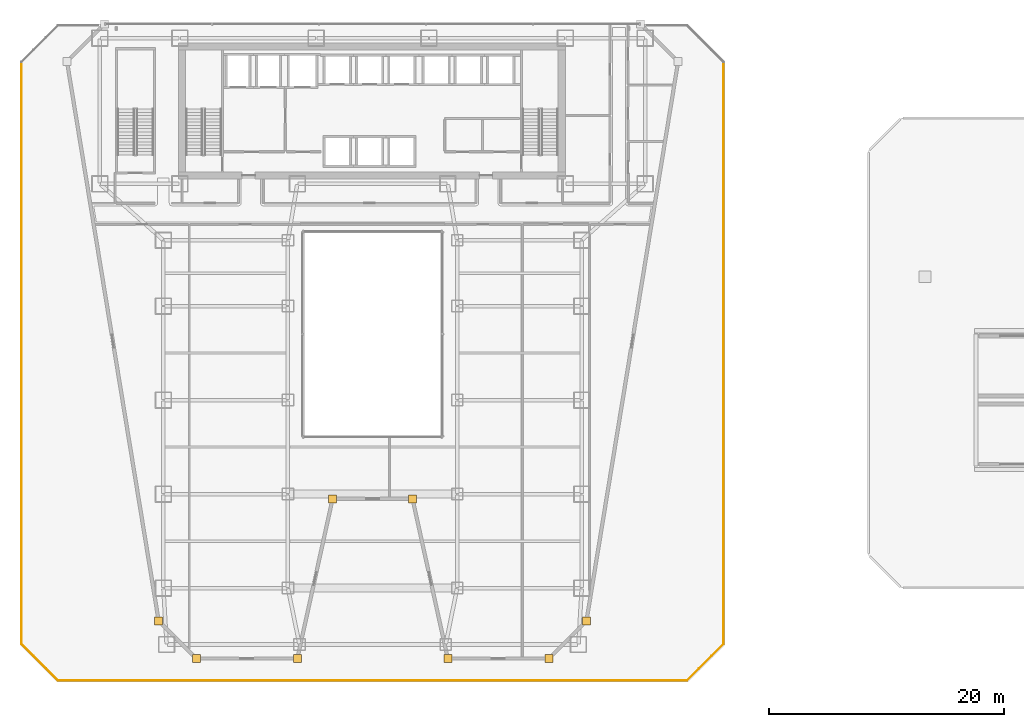
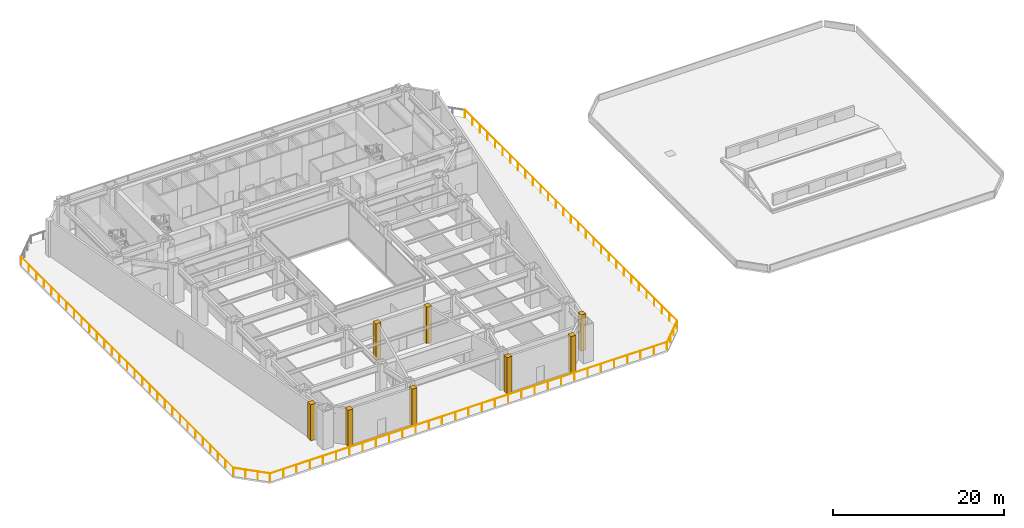
# One storey, part 25 of 29: 8 coverings, 5 railings.
"""IFC4 building model written with IfcOpenShell, lengths in metres."""

from ifc_helpers import new_model, si_unit, direction, frame, origin, origin_2d, place, context, subcontext, project, spatial, polyline, circle, outline, extrude, material, layer, layer_set, type_object, element, save


model = new_model("IFC4")

# Units and contexts
model_context = context("Model", 3, precision=1e-05, world=origin(), true_north=direction((0.0, 1.0)))
body_context = subcontext(model_context, "Body", "Model", "MODEL_VIEW")
ifc_project = project(units=[si_unit("LENGTHUNIT", "METRE"), si_unit("AREAUNIT", "SQUARE_METRE"), si_unit("VOLUMEUNIT", "CUBIC_METRE"), si_unit("PLANEANGLEUNIT", "RADIAN"), si_unit("MASSUNIT", "GRAM", prefix="KILO")], contexts=[model_context])

# Site, building, storey
site_placement = place(None, origin())
site = spatial("IfcSite", under=ifc_project, at=site_placement, CompositionType="ELEMENT")
building_placement = place(site_placement, origin())
building = spatial("IfcBuilding", under=site, at=building_placement, Name="Saevonmaru Cultural Tower", CompositionType="ELEMENT")
storey_placement = place(building_placement, frame((0.0, 0.0, 27.60009765625)))
storey = spatial("IfcBuildingStorey", under=building, at=storey_placement, Name="L05", CompositionType="ELEMENT", Elevation=27.60009765625)

# Coverings
ifc_material = material(Name="Satin Bronze Anodised Aluminium", Category="aluminium")
ifc_layer = layer(ifc_material, 0.679931640625, Name="Satin Bronze Anodised Aluminium")
ifc_layer_set = layer_set([ifc_layer], Name="Satin Bronze Anodised Aluminium")
covering_type = type_object("IfcCoveringType", Name="CV-CORNER-CLAD", PredefinedType="CLADDING", material=ifc_layer_set)
covering_1_placement = place(storey_placement, origin())
element("IfcCovering", 1, at=covering_1_placement, inside=storey, type_object=covering_type, Name="L05 Tower Bronze Corner Cladding Pier 1", PredefinedType="CLADDING", context=body_context, shape_type="SweptSolid", body=[
    extrude(outline(polyline([(11.4599609375, 4.860107421875), (12.139892578125, 4.860107421875), (12.139892578125, 5.5400390625), (11.4599609375, 5.5400390625), (11.4599609375, 4.860107421875)])), origin(), (0.0, 0.0, 1.0), 5.14990234375),
])
covering_2_placement = place(storey_placement, origin())
element("IfcCovering", 2, at=covering_2_placement, inside=storey, type_object=covering_type, Name="L05 Tower Bronze Corner Cladding Pier 2", PredefinedType="CLADDING", context=body_context, shape_type="SweptSolid", body=[
    extrude(outline(polyline([(14.659912109375, 1.659912109375), (15.340087890625, 1.659912109375), (15.340087890625, 2.340087890625), (14.659912109375, 2.340087890625), (14.659912109375, 1.659912109375)])), origin(), (0.0, 0.0, 1.0), 5.14990234375),
])
covering_3_placement = place(storey_placement, origin())
element("IfcCovering", 3, at=covering_3_placement, inside=storey, type_object=covering_type, Name="L05 Tower Bronze Corner Cladding Pier 3", PredefinedType="CLADDING", context=body_context, shape_type="SweptSolid", body=[
    extrude(outline(polyline([(23.260009765625, 1.659912109375), (23.93994140625, 1.659912109375), (23.93994140625, 2.340087890625), (23.260009765625, 2.340087890625), (23.260009765625, 1.659912109375)])), origin(), (0.0, 0.0, 1.0), 5.14990234375),
])
covering_4_placement = place(storey_placement, origin())
element("IfcCovering", 4, at=covering_4_placement, inside=storey, type_object=covering_type, Name="L05 Tower Bronze Corner Cladding Pier 4", PredefinedType="CLADDING", context=body_context, shape_type="SweptSolid", body=[
    extrude(outline(polyline([(26.260009765625, 15.260009765625), (26.93994140625, 15.260009765625), (26.93994140625, 15.93994140625), (26.260009765625, 15.93994140625), (26.260009765625, 15.260009765625)])), origin(), (0.0, 0.0, 1.0), 5.14990234375),
])
covering_5_placement = place(storey_placement, origin())
element("IfcCovering", 5, at=covering_5_placement, inside=storey, type_object=covering_type, Name="L05 Tower Bronze Corner Cladding Pier 5", PredefinedType="CLADDING", context=body_context, shape_type="SweptSolid", body=[
    extrude(outline(polyline([(33.06005859375, 15.260009765625), (33.739990234375, 15.260009765625), (33.739990234375, 15.93994140625), (33.06005859375, 15.93994140625), (33.06005859375, 15.260009765625)])), origin(), (0.0, 0.0, 1.0), 5.14990234375),
])
covering_6_placement = place(storey_placement, origin())
element("IfcCovering", 6, at=covering_6_placement, inside=storey, type_object=covering_type, Name="L05 Tower Bronze Corner Cladding Pier 6", PredefinedType="CLADDING", context=body_context, shape_type="SweptSolid", body=[
    extrude(outline(polyline([(36.06005859375, 1.659912109375), (36.739990234375, 1.659912109375), (36.739990234375, 2.340087890625), (36.06005859375, 2.340087890625), (36.06005859375, 1.659912109375)])), origin(), (0.0, 0.0, 1.0), 5.14990234375),
])
covering_7_placement = place(storey_placement, origin())
element("IfcCovering", 7, at=covering_7_placement, inside=storey, type_object=covering_type, Name="L05 Tower Bronze Corner Cladding Pier 7", PredefinedType="CLADDING", context=body_context, shape_type="SweptSolid", body=[
    extrude(outline(polyline([(44.659912109375, 1.659912109375), (45.340087890625, 1.659912109375), (45.340087890625, 2.340087890625), (44.659912109375, 2.340087890625), (44.659912109375, 1.659912109375)])), origin(), (0.0, 0.0, 1.0), 5.14990234375),
])
covering_8_placement = place(storey_placement, origin())
element("IfcCovering", 8, at=covering_8_placement, inside=storey, type_object=covering_type, Name="L05 Tower Bronze Corner Cladding Pier 8", PredefinedType="CLADDING", context=body_context, shape_type="SweptSolid", body=[
    extrude(outline(polyline([(47.860107421875, 4.860107421875), (48.5400390625, 4.860107421875), (48.5400390625, 5.5400390625), (47.860107421875, 5.5400390625), (47.860107421875, 4.860107421875)])), origin(), (0.0, 0.0, 1.0), 5.14990234375),
])

# Railings
railing_type = type_object("IfcRailingType", Name="RL-BALUSTRADE-1150", PredefinedType="BALUSTRADE", material=ifc_material)
railing_1_placement = place(storey_placement, frame((59.8798828125, 52.72998046875, 0.0)))
element("IfcRailing", 9, at=railing_1_placement, inside=storey, type_object=railing_type, Name="L05 Setback Terrace Balustrade 1-2", PredefinedType="BALUSTRADE", context=body_context, shape_type="SweptSolid", body=[
    extrude(circle(Radius=0.02392578125, at=origin_2d()), frame((0.0, 0.0, 1.1259765625), z_axis=(0.0, -1.0, 0.0), x_axis=(1.0, 0.0, 0.0)), (0.0, 0.0, 1.0), 49.4599609375),
    extrude(circle(Radius=0.02099609375, at=origin_2d()), origin(), (0.0, 0.0, 1.0), 1.101806640625),
    extrude(circle(Radius=0.02099609375, at=origin_2d()), frame((0.0, -1.766357421875, 0.0)), (0.0, 0.0, 1.0), 1.101806640625),
    extrude(circle(Radius=0.02099609375, at=origin_2d()), frame((0.0, -3.532958984375, 0.0)), (0.0, 0.0, 1.0), 1.101806640625),
    extrude(circle(Radius=0.02099609375, at=origin_2d()), frame((0.0, -5.29931640625, 0.0)), (0.0, 0.0, 1.0), 1.101806640625),
    extrude(circle(Radius=0.02099609375, at=origin_2d()), frame((0.0, -7.065673828125, 0.0)), (0.0, 0.0, 1.0), 1.101806640625),
    extrude(circle(Radius=0.02099609375, at=origin_2d()), frame((0.0, -8.83203125, 0.0)), (0.0, 0.0, 1.0), 1.101806640625),
    extrude(circle(Radius=0.02099609375, at=origin_2d()), frame((0.0, -10.5986328125, 0.0)), (0.0, 0.0, 1.0), 1.101806640625),
    extrude(circle(Radius=0.02099609375, at=origin_2d()), frame((0.0, -12.364990234375, 0.0)), (0.0, 0.0, 1.0), 1.101806640625),
    extrude(circle(Radius=0.02099609375, at=origin_2d()), frame((0.0, -14.13134765625, 0.0)), (0.0, 0.0, 1.0), 1.101806640625),
    extrude(circle(Radius=0.02099609375, at=origin_2d()), frame((0.0, -15.89794921875, 0.0)), (0.0, 0.0, 1.0), 1.101806640625),
    extrude(circle(Radius=0.02099609375, at=origin_2d()), frame((0.0, -17.664306640625, 0.0)), (0.0, 0.0, 1.0), 1.101806640625),
    extrude(circle(Radius=0.02099609375, at=origin_2d()), frame((0.0, -19.4306640625, 0.0)), (0.0, 0.0, 1.0), 1.101806640625),
    extrude(circle(Radius=0.02099609375, at=origin_2d()), frame((0.0, -21.197021484375, 0.0)), (0.0, 0.0, 1.0), 1.101806640625),
    extrude(circle(Radius=0.02099609375, at=origin_2d()), frame((0.0, -22.963623046875, 0.0)), (0.0, 0.0, 1.0), 1.101806640625),
    extrude(circle(Radius=0.02099609375, at=origin_2d()), frame((0.0, -24.72998046875, 0.0)), (0.0, 0.0, 1.0), 1.101806640625),
    extrude(circle(Radius=0.02099609375, at=origin_2d()), frame((0.0, -26.496337890625, 0.0)), (0.0, 0.0, 1.0), 1.101806640625),
    extrude(circle(Radius=0.02099609375, at=origin_2d()), frame((0.0, -28.262939453125, 0.0)), (0.0, 0.0, 1.0), 1.101806640625),
    extrude(circle(Radius=0.02099609375, at=origin_2d()), frame((0.0, -30.029296875, 0.0)), (0.0, 0.0, 1.0), 1.101806640625),
    extrude(circle(Radius=0.02099609375, at=origin_2d()), frame((0.0, -31.795654296875, 0.0)), (0.0, 0.0, 1.0), 1.101806640625),
    extrude(circle(Radius=0.02099609375, at=origin_2d()), frame((0.0, -33.56201171875, 0.0)), (0.0, 0.0, 1.0), 1.101806640625),
    extrude(circle(Radius=0.02099609375, at=origin_2d()), frame((0.0, -35.32861328125, 0.0)), (0.0, 0.0, 1.0), 1.101806640625),
    extrude(circle(Radius=0.02099609375, at=origin_2d()), frame((0.0, -37.094970703125, 0.0)), (0.0, 0.0, 1.0), 1.101806640625),
    extrude(circle(Radius=0.02099609375, at=origin_2d()), frame((0.0, -38.861328125, 0.0)), (0.0, 0.0, 1.0), 1.101806640625),
    extrude(circle(Radius=0.02099609375, at=origin_2d()), frame((0.0, -40.6279296875, 0.0)), (0.0, 0.0, 1.0), 1.101806640625),
    extrude(circle(Radius=0.02099609375, at=origin_2d()), frame((0.0, -42.394287109375, 0.0)), (0.0, 0.0, 1.0), 1.101806640625),
    extrude(circle(Radius=0.02099609375, at=origin_2d()), frame((0.0, -44.16064453125, 0.0)), (0.0, 0.0, 1.0), 1.101806640625),
    extrude(circle(Radius=0.02099609375, at=origin_2d()), frame((0.0, -45.927001953125, 0.0)), (0.0, 0.0, 1.0), 1.101806640625),
    extrude(circle(Radius=0.02099609375, at=origin_2d()), frame((0.0, -47.693603515625, 0.0)), (0.0, 0.0, 1.0), 1.101806640625),
    extrude(circle(Radius=0.02099609375, at=origin_2d()), frame((0.0, -49.4599609375, 0.0)), (0.0, 0.0, 1.0), 1.101806640625),
])
railing_2_placement = place(storey_placement, frame((59.865966796875, 3.23583984375, 0.0)))
element("IfcRailing", 10, at=railing_2_placement, inside=storey, type_object=railing_type, Name="L05 Setback Terrace Balustrade 1-3", PredefinedType="BALUSTRADE", context=body_context, shape_type="SweptSolid", body=[
    extrude(circle(Radius=0.02392578125, at=origin_2d()), frame((0.0, 0.0, 1.1259765625), z_axis=(-0.707106781187, -0.707106781187, 0.0), x_axis=(0.707106781187, -0.707106781187, 0.0)), (0.0, 0.0, 1.0), 4.38671875),
    extrude(circle(Radius=0.02099609375, at=origin_2d()), origin(), (0.0, 0.0, 1.0), 1.101806640625),
    extrude(circle(Radius=0.02099609375, at=origin_2d()), frame((-1.033935546875, -1.033935546875, 0.0)), (0.0, 0.0, 1.0), 1.101806640625),
    extrude(circle(Radius=0.02099609375, at=origin_2d()), frame((-2.06787109375, -2.06787109375, 0.0)), (0.0, 0.0, 1.0), 1.101806640625),
    extrude(circle(Radius=0.02099609375, at=origin_2d()), frame((-3.101806640625, -3.101806640625, 0.0)), (0.0, 0.0, 1.0), 1.101806640625),
])
railing_3_placement = place(storey_placement, frame((56.72998046875, 0.1201171875, 0.0)))
element("IfcRailing", 11, at=railing_3_placement, inside=storey, type_object=railing_type, Name="L05 Setback Terrace Balustrade 1-4", PredefinedType="BALUSTRADE", context=body_context, shape_type="SweptSolid", body=[
    extrude(circle(Radius=0.02392578125, at=origin_2d()), frame((0.0, 0.0, 1.1259765625), z_axis=(-1.0, 0.0, 0.0), x_axis=(0.0, -1.0, 0.0)), (0.0, 0.0, 1.0), 53.4599609375),
    extrude(circle(Radius=0.02099609375, at=origin_2d()), origin(), (0.0, 0.0, 1.0), 1.101806640625),
    extrude(circle(Radius=0.02099609375, at=origin_2d()), frame((-1.781982421875, 0.0, 0.0)), (0.0, 0.0, 1.0), 1.101806640625),
    extrude(circle(Radius=0.02099609375, at=origin_2d()), frame((-3.56396484375, 0.0, 0.0)), (0.0, 0.0, 1.0), 1.101806640625),
    extrude(circle(Radius=0.02099609375, at=origin_2d()), frame((-5.345947265625, 0.0, 0.0)), (0.0, 0.0, 1.0), 1.101806640625),
    extrude(circle(Radius=0.02099609375, at=origin_2d()), frame((-7.1279296875, 0.0, 0.0)), (0.0, 0.0, 1.0), 1.101806640625),
    extrude(circle(Radius=0.02099609375, at=origin_2d()), frame((-8.909912109375, 0.0, 0.0)), (0.0, 0.0, 1.0), 1.101806640625),
    extrude(circle(Radius=0.02099609375, at=origin_2d()), frame((-10.69189453125, 0.0, 0.0)), (0.0, 0.0, 1.0), 1.101806640625),
    extrude(circle(Radius=0.02099609375, at=origin_2d()), frame((-12.473876953125, 0.0, 0.0)), (0.0, 0.0, 1.0), 1.101806640625),
    extrude(circle(Radius=0.02099609375, at=origin_2d()), frame((-14.256103515625, 0.0, 0.0)), (0.0, 0.0, 1.0), 1.101806640625),
    extrude(circle(Radius=0.02099609375, at=origin_2d()), frame((-16.0380859375, 0.0, 0.0)), (0.0, 0.0, 1.0), 1.101806640625),
    extrude(circle(Radius=0.02099609375, at=origin_2d()), frame((-17.820068359375, 0.0, 0.0)), (0.0, 0.0, 1.0), 1.101806640625),
    extrude(circle(Radius=0.02099609375, at=origin_2d()), frame((-19.60205078125, 0.0, 0.0)), (0.0, 0.0, 1.0), 1.101806640625),
    extrude(circle(Radius=0.02099609375, at=origin_2d()), frame((-21.384033203125, 0.0, 0.0)), (0.0, 0.0, 1.0), 1.101806640625),
    extrude(circle(Radius=0.02099609375, at=origin_2d()), frame((-23.166015625, 0.0, 0.0)), (0.0, 0.0, 1.0), 1.101806640625),
    extrude(circle(Radius=0.02099609375, at=origin_2d()), frame((-24.947998046875, 0.0, 0.0)), (0.0, 0.0, 1.0), 1.101806640625),
    extrude(circle(Radius=0.02099609375, at=origin_2d()), frame((-26.72998046875, 0.0, 0.0)), (0.0, 0.0, 1.0), 1.101806640625),
    extrude(circle(Radius=0.02099609375, at=origin_2d()), frame((-28.511962890625, 0.0, 0.0)), (0.0, 0.0, 1.0), 1.101806640625),
    extrude(circle(Radius=0.02099609375, at=origin_2d()), frame((-30.2939453125, 0.0, 0.0)), (0.0, 0.0, 1.0), 1.101806640625),
    extrude(circle(Radius=0.02099609375, at=origin_2d()), frame((-32.075927734375, 0.0, 0.0)), (0.0, 0.0, 1.0), 1.101806640625),
    extrude(circle(Radius=0.02099609375, at=origin_2d()), frame((-33.85791015625, 0.0, 0.0)), (0.0, 0.0, 1.0), 1.101806640625),
    extrude(circle(Radius=0.02099609375, at=origin_2d()), frame((-35.639892578125, 0.0, 0.0)), (0.0, 0.0, 1.0), 1.101806640625),
    extrude(circle(Radius=0.02099609375, at=origin_2d()), frame((-37.421875, 0.0, 0.0)), (0.0, 0.0, 1.0), 1.101806640625),
    extrude(circle(Radius=0.02099609375, at=origin_2d()), frame((-39.203857421875, 0.0, 0.0)), (0.0, 0.0, 1.0), 1.101806640625),
    extrude(circle(Radius=0.02099609375, at=origin_2d()), frame((-40.986083984375, 0.0, 0.0)), (0.0, 0.0, 1.0), 1.101806640625),
    extrude(circle(Radius=0.02099609375, at=origin_2d()), frame((-42.76806640625, 0.0, 0.0)), (0.0, 0.0, 1.0), 1.101806640625),
    extrude(circle(Radius=0.02099609375, at=origin_2d()), frame((-44.550048828125, 0.0, 0.0)), (0.0, 0.0, 1.0), 1.101806640625),
    extrude(circle(Radius=0.02099609375, at=origin_2d()), frame((-46.33203125, 0.0, 0.0)), (0.0, 0.0, 1.0), 1.101806640625),
    extrude(circle(Radius=0.02099609375, at=origin_2d()), frame((-48.114013671875, 0.0, 0.0)), (0.0, 0.0, 1.0), 1.101806640625),
    extrude(circle(Radius=0.02099609375, at=origin_2d()), frame((-49.89599609375, 0.0, 0.0)), (0.0, 0.0, 1.0), 1.101806640625),
    extrude(circle(Radius=0.02099609375, at=origin_2d()), frame((-51.677978515625, 0.0, 0.0)), (0.0, 0.0, 1.0), 1.101806640625),
    extrude(circle(Radius=0.02099609375, at=origin_2d()), frame((-53.4599609375, 0.0, 0.0)), (0.0, 0.0, 1.0), 1.101806640625),
])
railing_4_placement = place(storey_placement, frame((3.23583984375, 0.134033203125, 0.0)))
element("IfcRailing", 12, at=railing_4_placement, inside=storey, type_object=railing_type, Name="L05 Setback Terrace Balustrade 1-5", PredefinedType="BALUSTRADE", context=body_context, shape_type="SweptSolid", body=[
    extrude(circle(Radius=0.02392578125, at=origin_2d()), frame((0.0, 0.0, 1.1259765625), z_axis=(-0.707106781187, 0.707106781187, 0.0), x_axis=(-0.707106781187, -0.707106781187, 0.0)), (0.0, 0.0, 1.0), 4.38671875),
    extrude(circle(Radius=0.02099609375, at=origin_2d()), origin(), (0.0, 0.0, 1.0), 1.101806640625),
    extrude(circle(Radius=0.02099609375, at=origin_2d()), frame((-1.033935546875, 1.033935546875, 0.0)), (0.0, 0.0, 1.0), 1.101806640625),
    extrude(circle(Radius=0.02099609375, at=origin_2d()), frame((-2.06787109375, 2.06787109375, 0.0)), (0.0, 0.0, 1.0), 1.101806640625),
    extrude(circle(Radius=0.02099609375, at=origin_2d()), frame((-3.101806640625, 3.101806640625, 0.0)), (0.0, 0.0, 1.0), 1.101806640625),
])
railing_5_placement = place(storey_placement, frame((0.1201171875, 3.27001953125, 0.0)))
element("IfcRailing", 13, at=railing_5_placement, inside=storey, type_object=railing_type, Name="L05 Setback Terrace Balustrade 1-6", PredefinedType="BALUSTRADE", context=body_context, shape_type="SweptSolid", body=[
    extrude(circle(Radius=0.02392578125, at=origin_2d()), frame((0.0, 0.0, 1.1259765625), z_axis=(0.0, 1.0, 0.0), x_axis=(-1.0, 0.0, 0.0)), (0.0, 0.0, 1.0), 49.4599609375),
    extrude(circle(Radius=0.02099609375, at=origin_2d()), origin(), (0.0, 0.0, 1.0), 1.101806640625),
    extrude(circle(Radius=0.02099609375, at=origin_2d()), frame((0.0, 1.766357421875, 0.0)), (0.0, 0.0, 1.0), 1.101806640625),
    extrude(circle(Radius=0.02099609375, at=origin_2d()), frame((0.0, 3.532958984375, 0.0)), (0.0, 0.0, 1.0), 1.101806640625),
    extrude(circle(Radius=0.02099609375, at=origin_2d()), frame((0.0, 5.29931640625, 0.0)), (0.0, 0.0, 1.0), 1.101806640625),
    extrude(circle(Radius=0.02099609375, at=origin_2d()), frame((0.0, 7.065673828125, 0.0)), (0.0, 0.0, 1.0), 1.101806640625),
    extrude(circle(Radius=0.02099609375, at=origin_2d()), frame((0.0, 8.83203125, 0.0)), (0.0, 0.0, 1.0), 1.101806640625),
    extrude(circle(Radius=0.02099609375, at=origin_2d()), frame((0.0, 10.5986328125, 0.0)), (0.0, 0.0, 1.0), 1.101806640625),
    extrude(circle(Radius=0.02099609375, at=origin_2d()), frame((0.0, 12.364990234375, 0.0)), (0.0, 0.0, 1.0), 1.101806640625),
    extrude(circle(Radius=0.02099609375, at=origin_2d()), frame((0.0, 14.13134765625, 0.0)), (0.0, 0.0, 1.0), 1.101806640625),
    extrude(circle(Radius=0.02099609375, at=origin_2d()), frame((0.0, 15.89794921875, 0.0)), (0.0, 0.0, 1.0), 1.101806640625),
    extrude(circle(Radius=0.02099609375, at=origin_2d()), frame((0.0, 17.664306640625, 0.0)), (0.0, 0.0, 1.0), 1.101806640625),
    extrude(circle(Radius=0.02099609375, at=origin_2d()), frame((0.0, 19.4306640625, 0.0)), (0.0, 0.0, 1.0), 1.101806640625),
    extrude(circle(Radius=0.02099609375, at=origin_2d()), frame((0.0, 21.197021484375, 0.0)), (0.0, 0.0, 1.0), 1.101806640625),
    extrude(circle(Radius=0.02099609375, at=origin_2d()), frame((0.0, 22.963623046875, 0.0)), (0.0, 0.0, 1.0), 1.101806640625),
    extrude(circle(Radius=0.02099609375, at=origin_2d()), frame((0.0, 24.72998046875, 0.0)), (0.0, 0.0, 1.0), 1.101806640625),
    extrude(circle(Radius=0.02099609375, at=origin_2d()), frame((0.0, 26.496337890625, 0.0)), (0.0, 0.0, 1.0), 1.101806640625),
    extrude(circle(Radius=0.02099609375, at=origin_2d()), frame((0.0, 28.262939453125, 0.0)), (0.0, 0.0, 1.0), 1.101806640625),
    extrude(circle(Radius=0.02099609375, at=origin_2d()), frame((0.0, 30.029296875, 0.0)), (0.0, 0.0, 1.0), 1.101806640625),
    extrude(circle(Radius=0.02099609375, at=origin_2d()), frame((0.0, 31.795654296875, 0.0)), (0.0, 0.0, 1.0), 1.101806640625),
    extrude(circle(Radius=0.02099609375, at=origin_2d()), frame((0.0, 33.56201171875, 0.0)), (0.0, 0.0, 1.0), 1.101806640625),
    extrude(circle(Radius=0.02099609375, at=origin_2d()), frame((0.0, 35.32861328125, 0.0)), (0.0, 0.0, 1.0), 1.101806640625),
    extrude(circle(Radius=0.02099609375, at=origin_2d()), frame((0.0, 37.094970703125, 0.0)), (0.0, 0.0, 1.0), 1.101806640625),
    extrude(circle(Radius=0.02099609375, at=origin_2d()), frame((0.0, 38.861328125, 0.0)), (0.0, 0.0, 1.0), 1.101806640625),
    extrude(circle(Radius=0.02099609375, at=origin_2d()), frame((0.0, 40.6279296875, 0.0)), (0.0, 0.0, 1.0), 1.101806640625),
    extrude(circle(Radius=0.02099609375, at=origin_2d()), frame((0.0, 42.394287109375, 0.0)), (0.0, 0.0, 1.0), 1.101806640625),
    extrude(circle(Radius=0.02099609375, at=origin_2d()), frame((0.0, 44.16064453125, 0.0)), (0.0, 0.0, 1.0), 1.101806640625),
    extrude(circle(Radius=0.02099609375, at=origin_2d()), frame((0.0, 45.927001953125, 0.0)), (0.0, 0.0, 1.0), 1.101806640625),
    extrude(circle(Radius=0.02099609375, at=origin_2d()), frame((0.0, 47.693603515625, 0.0)), (0.0, 0.0, 1.0), 1.101806640625),
    extrude(circle(Radius=0.02099609375, at=origin_2d()), frame((0.0, 49.4599609375, 0.0)), (0.0, 0.0, 1.0), 1.101806640625),
])

save(model, "model.ifc")
